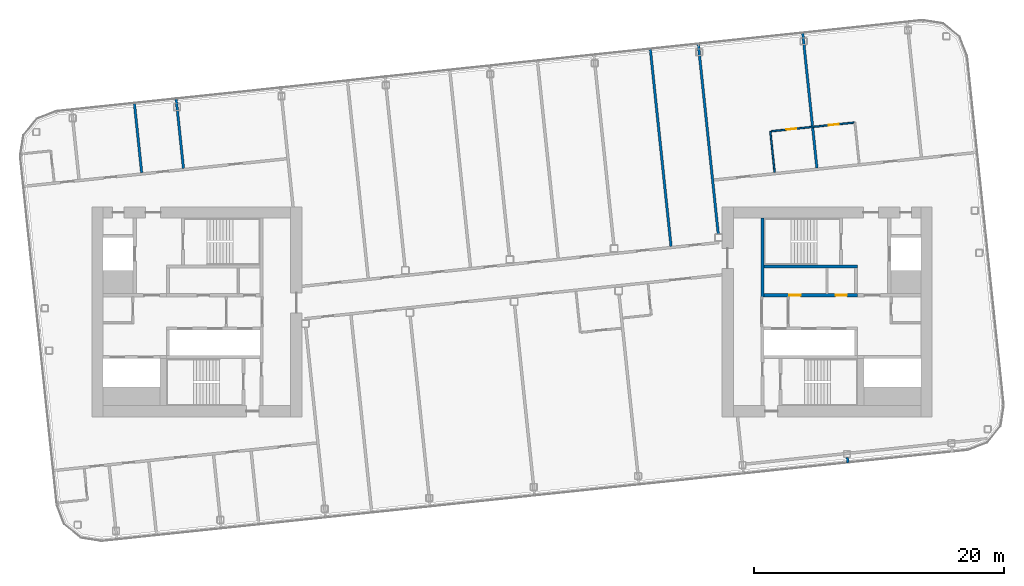
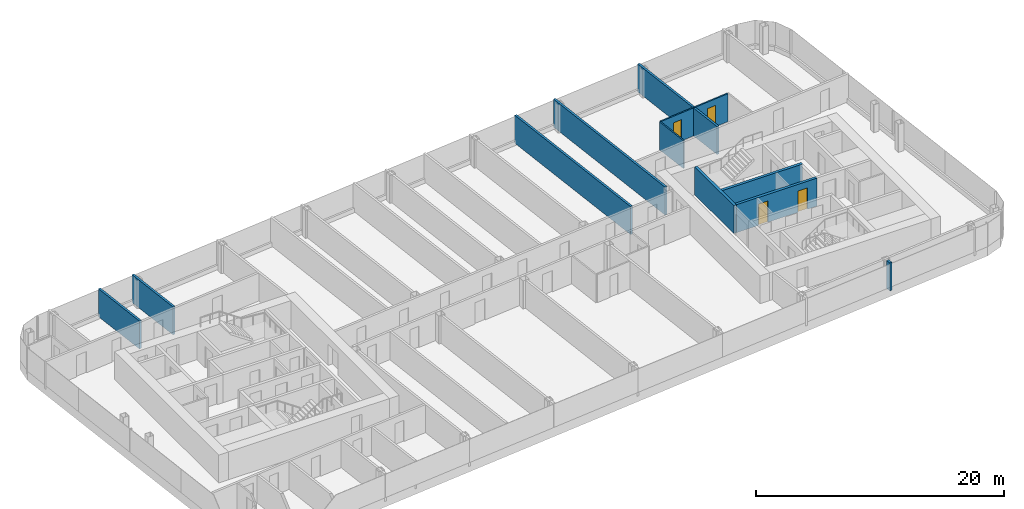
# One storey, part 17 of 27: 11 walls, 4 doors, 4 openings.
"""IFC4 building model written with IfcOpenShell, lengths in metres."""

from ifc_helpers import new_model, si_unit, direction, frame, frame_2d, origin, place, context, subcontext, project, spatial, rectangle, extrude, material, layer, layer_set, type_object, element, fill, save


model = new_model("IFC4")

# Units and contexts
model_context = context("Model", 3, precision=1e-05, world=origin(), true_north=direction((0.0, 1.0)))
body_context = subcontext(model_context, "Body", "Model", "MODEL_VIEW")
ifc_project = project(units=[si_unit("LENGTHUNIT", "METRE"), si_unit("AREAUNIT", "SQUARE_METRE"), si_unit("VOLUMEUNIT", "CUBIC_METRE"), si_unit("PLANEANGLEUNIT", "RADIAN"), si_unit("MASSUNIT", "GRAM", prefix="KILO")], contexts=[model_context])

# Site, building, storey
site_placement = place(None, origin())
site = spatial("IfcSite", under=ifc_project, at=site_placement, CompositionType="ELEMENT")
building_placement = place(site_placement, origin())
building = spatial("IfcBuilding", under=site, at=building_placement, Name="Hakoniwa Tower and Hamabe Station Hall", CompositionType="ELEMENT")
storey_placement = place(building_placement, frame((0.0, 0.0, 239.0)))
storey = spatial("IfcBuildingStorey", under=building, at=storey_placement, Name="L67", CompositionType="ELEMENT", Elevation=239.0)

# Wall, openings, doors
ifc_material_1 = material(Name="Gypsum board partition", Category="gypsum")
ifc_layer_1 = layer(ifc_material_1, 0.125)
ifc_layer_set_1 = layer_set([ifc_layer_1], Name="Bathroom Partition 125")
wall_type_1 = type_object("IfcWallType", Name="Bathroom Partition 125", PredefinedType="PARTITIONING", material=ifc_layer_set_1)
wall_1_placement = place(storey_placement, frame((20.7275390625, 14.443603515625, 0.0), z_axis=(0.0, 0.0, 1.0), x_axis=(0.994521474306, 0.104532469331, 0.0)))
wall_1 = element("IfcWall", 1, at=wall_1_placement, inside=storey, type_object=wall_type_1, Name="GW-L67-009", PredefinedType="PARTITIONING", context=body_context, shape_type="SweptSolid", body=[
    extrude(rectangle(XDim=6.675048828125, YDim=0.125, at=frame_2d((3.33740234375, 0.0))), origin(), (0.0, 0.0, 1.0), 2.75),
])
opening_1_placement = place(wall_1_placement, frame((1.237548828125, 0.0, 0.0)))
opening_1 = element("IfcOpeningElement", 2, at=opening_1_placement, cuts=wall_1, Name="Opening GD-G5A0-23", PredefinedType="OPENING", context=body_context, shape_type="SweptSolid", body=[
    extrude(rectangle(XDim=0.800048828125, YDim=2.10009765625, at=frame_2d((0.39990234375, 1.050048828125))), frame((0.0, 0.072509765625, 0.0), z_axis=(0.0, -1.0, 0.0), x_axis=(1.0, 0.0, 0.0)), (0.0, 0.0, 1.0), 0.14501953125),
])
opening_2_placement = place(wall_1_placement, frame((4.637451171875, 0.0, 0.0)))
opening_2 = element("IfcOpeningElement", 3, at=opening_2_placement, cuts=wall_1, Name="Opening GD-G5A0-24", PredefinedType="OPENING", context=body_context, shape_type="SweptSolid", body=[
    extrude(rectangle(XDim=0.800048828125, YDim=2.10009765625, at=frame_2d((0.39990234375, 1.050048828125))), frame((0.0, 0.072509765625, 0.0), z_axis=(0.0, -1.0, 0.0), x_axis=(1.0, 0.0, 0.0)), (0.0, 0.0, 1.0), 0.14501953125),
])
ifc_material_2 = material(Name="Timber door leaf", Category="wood")
door_type_1 = type_object("IfcDoorType", Name="Bathroom Door 800", OperationType="SINGLE_SWING_LEFT", PredefinedType="DOOR", material=ifc_material_2)
door_1_placement = place(opening_1_placement, origin())
door_1 = element("IfcDoor", 4, at=door_1_placement, inside=storey, type_object=door_type_1, Name="Door GD-G5A0-23", OperationType="SINGLE_SWING_RIGHT", OverallHeight=2.10009765625, OverallWidth=0.800048828125, PredefinedType="DOOR", context=body_context, shape_type="SweptSolid", body=[
    extrude(rectangle(XDim=0.800048828125, YDim=2.10009765625, at=frame_2d((0.39990234375, 1.050048828125))), frame((0.0, 0.02490234375, 0.0), z_axis=(0.0, -1.0, 0.0), x_axis=(1.0, 0.0, 0.0)), (0.0, 0.0, 1.0), 0.050048828125),
])
fill(opening_1, door_1)
door_2_placement = place(opening_2_placement, origin())
door_2 = element("IfcDoor", 5, at=door_2_placement, inside=storey, type_object=door_type_1, Name="Door GD-G5A0-24", OperationType="SINGLE_SWING_LEFT", OverallHeight=2.10009765625, OverallWidth=0.800048828125, PredefinedType="DOOR", context=body_context, shape_type="SweptSolid", body=[
    extrude(rectangle(XDim=0.800048828125, YDim=2.10009765625, at=frame_2d((0.39990234375, 1.050048828125))), frame((0.0, 0.02490234375, 0.0), z_axis=(0.0, -1.0, 0.0), x_axis=(1.0, 0.0, 0.0)), (0.0, 0.0, 1.0), 0.050048828125),
])
fill(opening_2, door_2)

# Walls
wall_2_placement = place(storey_placement, frame((21.010498046875, 11.1552734375, 0.0), z_axis=(0.0, 0.0, 1.0), x_axis=(-0.10454228429, 0.994520442623, 0.0)))
element("IfcWall", 6, at=wall_2_placement, inside=storey, type_object=wall_type_1, Name="GW-L67-038", PredefinedType="PARTITIONING", context=body_context, shape_type="SweptSolid", body=[
    extrude(rectangle(XDim=3.2998046875, YDim=0.125, at=frame_2d((1.64990234375, 0.0))), origin(), (0.0, 0.0, 1.0), 2.75),
])
ifc_material_3 = material(Name="Concrete C60", Category="concrete")
ifc_layer_2 = layer(ifc_material_3, 0.25)
ifc_layer_set_2 = layer_set([ifc_layer_2], Name="CORE WEB WALL 250 C60")
wall_type_2 = type_object("IfcWallType", Name="CORE WEB WALL 250 C60", PredefinedType="SHEAR", material=ifc_layer_set_2)
wall_3_placement = place(storey_placement, frame((20.02490234375, 1.199951171875, 0.0), z_axis=(0.0, 0.0, 1.0), x_axis=(0.0, 1.0, 0.0)))
element("IfcWall", 7, at=wall_3_placement, inside=storey, type_object=wall_type_2, Name="Core wall W1N east", PredefinedType="SHEAR", context=body_context, shape_type="SweptSolid", body=[
    extrude(rectangle(XDim=6.300048828125, YDim=0.25, at=frame_2d((3.14990234375, 0.0))), origin(), (0.0, 0.0, 1.0), 2.75),
])

# Wall, openings, doors
wall_4_placement = place(storey_placement, frame((20.14990234375, 1.324951171875, 0.0), z_axis=(0.0, 0.0, 1.0), x_axis=(1.0, 0.0, 0.0)))
wall_4 = element("IfcWall", 8, at=wall_4_placement, inside=storey, type_object=wall_type_2, Name="Core wall NF east", PredefinedType="SHEAR", context=body_context, shape_type="SweptSolid", body=[
    extrude(rectangle(XDim=7.5, YDim=0.25, at=frame_2d((3.75, 0.0))), origin(), (0.0, 0.0, 1.0), 2.75),
])
opening_3_placement = place(wall_4_placement, frame((2.03759765625, 0.0, 0.0)))
opening_3 = element("IfcOpeningElement", 9, at=opening_3_placement, cuts=wall_4, Name="Opening CD-E-FRLR0-9", PredefinedType="OPENING", context=body_context, shape_type="SweptSolid", body=[
    extrude(rectangle(XDim=0.89990234375, YDim=2.10009765625, at=frame_2d((0.449951171875, 1.050048828125))), frame((0.0, 0.135009765625, 0.0), z_axis=(0.0, -1.0, 0.0), x_axis=(1.0, 0.0, 0.0)), (0.0, 0.0, 1.0), 0.27001953125),
])
opening_4_placement = place(wall_4_placement, frame((5.737548828125, 0.0, 0.0)))
opening_4 = element("IfcOpeningElement", 10, at=opening_4_placement, cuts=wall_4, Name="Opening CD-E-FRLR1-9", PredefinedType="OPENING", context=body_context, shape_type="SweptSolid", body=[
    extrude(rectangle(XDim=0.89990234375, YDim=2.10009765625, at=frame_2d((0.449951171875, 1.050048828125))), frame((0.0, 0.135009765625, 0.0), z_axis=(0.0, -1.0, 0.0), x_axis=(1.0, 0.0, 0.0)), (0.0, 0.0, 1.0), 0.27001953125),
])
ifc_material_4 = material(Name="Steel fire door", Category="steel")
door_type_2 = type_object("IfcDoorType", Name="CORE DOOR 900 FD30", OperationType="NOTDEFINED", PredefinedType="DOOR", material=ifc_material_4)
door_3_placement = place(opening_3_placement, origin())
door_3 = element("IfcDoor", 11, at=door_3_placement, inside=storey, type_object=door_type_2, Name="Store room door", OperationType="SINGLE_SWING_LEFT", OverallHeight=2.10009765625, OverallWidth=0.89990234375, PredefinedType="DOOR", context=body_context, shape_type="SweptSolid", body=[
    extrude(rectangle(XDim=0.89990234375, YDim=2.10009765625, at=frame_2d((0.449951171875, 1.050048828125))), frame((0.0, 0.02490234375, 0.0), z_axis=(0.0, -1.0, 0.0), x_axis=(1.0, 0.0, 0.0)), (0.0, 0.0, 1.0), 0.050048828125),
])
fill(opening_3, door_3)
door_4_placement = place(opening_4_placement, origin())
door_4 = element("IfcDoor", 12, at=door_4_placement, inside=storey, type_object=door_type_2, Name="Store room door", OperationType="SINGLE_SWING_RIGHT", OverallHeight=2.10009765625, OverallWidth=0.89990234375, PredefinedType="DOOR", context=body_context, shape_type="SweptSolid", body=[
    extrude(rectangle(XDim=0.89990234375, YDim=2.10009765625, at=frame_2d((0.449951171875, 1.050048828125))), frame((0.0, 0.02490234375, 0.0), z_axis=(0.0, -1.0, 0.0), x_axis=(1.0, 0.0, 0.0)), (0.0, 0.0, 1.0), 0.050048828125),
])
fill(opening_4, door_4)

# Walls
wall_5_placement = place(storey_placement, frame((20.14990234375, 3.625, 0.0), z_axis=(0.0, 0.0, 1.0), x_axis=(1.0, 0.0, 0.0)))
element("IfcWall", 13, at=wall_5_placement, inside=storey, type_object=wall_type_2, Name="Core wall NR east", PredefinedType="SHEAR", context=body_context, shape_type="SweptSolid", body=[
    extrude(rectangle(XDim=7.5, YDim=0.25, at=frame_2d((3.75, 0.0))), origin(), (0.0, 0.0, 1.0), 2.75),
])
ifc_material_5 = material(Name="Fire-rated gypsum board partition", Category="gypsum")
ifc_layer_3 = layer(ifc_material_5, 0.199951171875)
ifc_layer_set_3 = layer_set([ifc_layer_3], Name="Party Wall 200")
wall_type_3 = type_object("IfcWallType", Name="Party Wall 200", PredefinedType="PARTITIONING", material=ifc_layer_set_3)
wall_6_placement = place(storey_placement, frame((-29.62451171875, 11.13037109375, 0.0), z_axis=(0.0, 0.0, 1.0), x_axis=(-0.104512933269, 0.994523527514, 0.0)))
element("IfcWall", 14, at=wall_6_placement, inside=storey, type_object=wall_type_3, Name="GW-L67-017", PredefinedType="PARTITIONING", context=body_context, shape_type="SweptSolid", body=[
    extrude(rectangle(XDim=5.620361328125, YDim=0.199951171875, at=frame_2d((2.81005859375, 0.0))), origin(), (0.0, 0.0, 1.0), 2.75),
])
wall_7_placement = place(storey_placement, frame((-26.28271484375, 11.481689453125, 0.0), z_axis=(0.0, 0.0, 1.0), x_axis=(-0.104560413987, 0.994518536693, 0.0)))
element("IfcWall", 15, at=wall_7_placement, inside=storey, type_object=wall_type_3, Name="GW-L67-019", PredefinedType="PARTITIONING", context=body_context, shape_type="SweptSolid", body=[
    extrude(rectangle(XDim=5.6201171875, YDim=0.199951171875, at=frame_2d((2.81005859375, 0.0))), origin(), (0.0, 0.0, 1.0), 2.75),
])
wall_8_placement = place(storey_placement, frame((12.72265625, 5.244873046875, 0.0), z_axis=(0.0, 0.0, 1.0), x_axis=(-0.104519331095, 0.994522855156, 0.0)))
element("IfcWall", 16, at=wall_8_placement, inside=storey, type_object=wall_type_3, Name="GW-L67-035", PredefinedType="PARTITIONING", context=body_context, shape_type="SweptSolid", body=[
    extrude(rectangle(XDim=15.900146484375, YDim=0.199951171875, at=frame_2d((7.9501953125, 0.0))), origin(), (0.0, 0.0, 1.0), 2.75),
])
wall_9_placement = place(storey_placement, frame((16.499755859375, 6.23681640625, 0.0), z_axis=(0.0, 0.0, 1.0), x_axis=(-0.104523729364, 0.99452239291, 0.0)))
element("IfcWall", 17, at=wall_9_placement, inside=storey, type_object=wall_type_3, Name="GW-L67-037", PredefinedType="PARTITIONING", context=body_context, shape_type="SweptSolid", body=[
    extrude(rectangle(XDim=15.308349609375, YDim=0.199951171875, at=frame_2d((7.654296875, 0.0))), origin(), (0.0, 0.0, 1.0), 2.75),
])
wall_10_placement = place(storey_placement, frame((26.870361328125, -12.071044921875, 0.0), z_axis=(0.0, 0.0, 1.0), x_axis=(-0.104743412259, 0.994499279833, 0.0)))
element("IfcWall", 18, at=wall_10_placement, inside=storey, type_object=wall_type_3, Name="GW-L67-039", PredefinedType="PARTITIONING", context=body_context, shape_type="SweptSolid", body=[
    extrude(rectangle(XDim=0.43359375, YDim=0.199951171875, at=frame_2d((0.216796875, 0.0))), origin(), (0.0, 0.0, 1.0), 2.75),
])
wall_11_placement = place(storey_placement, frame((24.391845703125, 11.510498046875, 0.0), z_axis=(0.0, 0.0, 1.0), x_axis=(-0.104530717431, 0.994521658444, 0.0)))
element("IfcWall", 19, at=wall_11_placement, inside=storey, type_object=wall_type_3, Name="GW-L67-040", PredefinedType="PARTITIONING", context=body_context, shape_type="SweptSolid", body=[
    extrude(rectangle(XDim=10.888427734375, YDim=0.199951171875, at=frame_2d((5.4443359375, 0.0))), origin(), (0.0, 0.0, 1.0), 2.75),
])

save(model, "model.ifc")
